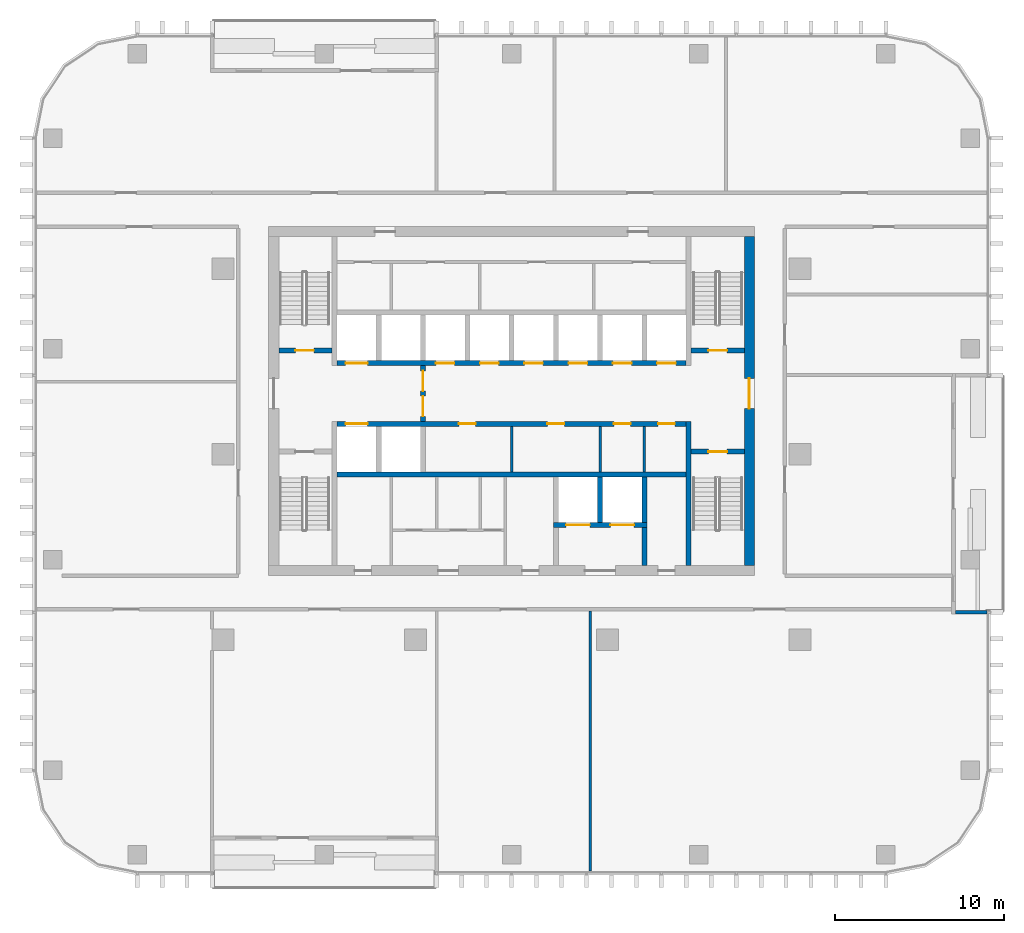
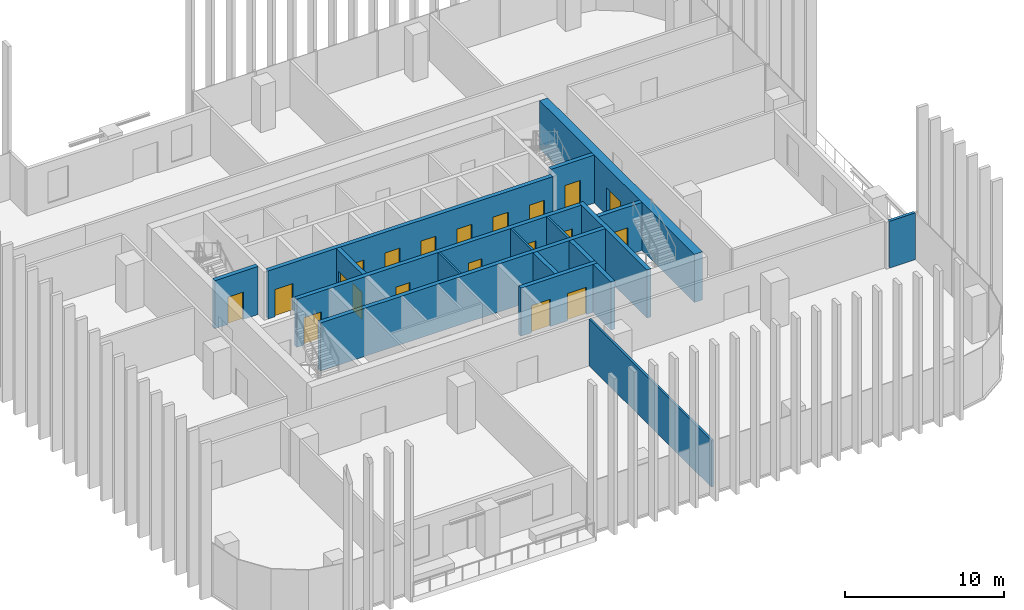
# One storey, part 8 of 15: 20 doors, 18 walls, 20 openings.
"""IFC4 building model written with IfcOpenShell, lengths in metres."""

from ifc_helpers import new_model, si_unit, direction, frame, frame_2d, origin, place, context, subcontext, project, spatial, rectangle, extrude, material, layer, layer_set, type_object, element, fill, save


model = new_model("IFC4")

# Units and contexts
model_context = context("Model", 3, precision=1e-05, world=origin(), true_north=direction((0.0, 1.0)))
body_context = subcontext(model_context, "Body", "Model", "MODEL_VIEW")
ifc_project = project(units=[si_unit("LENGTHUNIT", "METRE"), si_unit("AREAUNIT", "SQUARE_METRE"), si_unit("VOLUMEUNIT", "CUBIC_METRE"), si_unit("PLANEANGLEUNIT", "RADIAN"), si_unit("MASSUNIT", "GRAM", prefix="KILO")], contexts=[model_context])

# Site, building, storey
site_placement = place(None, origin())
site = spatial("IfcSite", under=ifc_project, at=site_placement, CompositionType="ELEMENT")
building_placement = place(site_placement, origin())
building = spatial("IfcBuilding", under=site, at=building_placement, Name="Mopane Tessera Tower", CompositionType="ELEMENT")
storey_placement = place(building_placement, frame((0.0, 0.0, 211.0)))
storey = spatial("IfcBuildingStorey", under=building, at=storey_placement, Name="L44", CompositionType="ELEMENT", Elevation=211.0)

# Walls
ifc_material_1 = material(Name="Fire-rated gypsum board partition")
ifc_layer_1 = layer(ifc_material_1, 0.14990234375)
ifc_layer_set_1 = layer_set([ifc_layer_1], Name="Fire-rated gypsum board partition")
wall_type_1 = type_object("IfcWallType", Name="Core room partition 150 mm", PredefinedType="PARTITIONING", material=ifc_layer_set_1)
for number, where, z_axis, x_axis, name in (
    (1, (0.0, -1.050048828125, 0.0), (0.0, 0.0, 1.0), (0.0, 1.0, 0.0), "L44 Room partition"),
    (2, (5.25, -1.050048828125, 0.0), (0.0, 0.0, 1.0), (0.0, 1.0, 0.0), "L44 Room partition"),
    (3, (7.875, -1.050048828125, 0.0), (0.0, 0.0, 1.0), (0.0, 1.0, 0.0), "L44 Room partition"),
):
    element("IfcWall", number, at=place(storey_placement, frame(where, z_axis=z_axis, x_axis=x_axis)), inside=storey, type_object=wall_type_1, Name=name, PredefinedType="PARTITIONING", context=body_context, shape_type="SweptSolid", body=[
        extrude(rectangle(XDim=2.699951171875, YDim=0.14990234375, at=frame_2d((1.35009765625, 0.0))), origin(), (0.0, 0.0, 1.0), 3.699951171875),
    ])

# Wall, opening, door
ifc_material_2 = material(Name="Concrete C70/85", Category="concrete")
ifc_layer_2 = layer(ifc_material_2, 0.60009765625)
ifc_layer_set_2 = layer_set([ifc_layer_2], Name="Concrete C70/85")
wall_type_2 = type_object("IfcWallType", Name="Core shear wall 600 mm", PredefinedType="SHEAR", material=ifc_layer_set_2)
wall_1_placement = place(storey_placement, frame((14.10009765625, -6.60009765625, 0.0), z_axis=(0.0, 0.0, 1.0), x_axis=(0.0, 1.0, 0.0)))
wall_1 = element("IfcWall", 4, at=wall_1_placement, inside=storey, type_object=wall_type_2, Name="L44 Core wall east", PredefinedType="SHEAR", context=body_context, shape_type="SweptSolid", body=[
    extrude(rectangle(XDim=19.5, YDim=0.60009765625, at=frame_2d((9.75, 0.0))), origin(), (0.0, 0.0, 1.0), 3.699951171875),
])
opening_1_placement = place(wall_1_placement, frame((9.300048828125, 0.0, 0.0)))
opening_1 = element("IfcOpeningElement", 5, at=opening_1_placement, cuts=wall_1, Name="Opening SD2", PredefinedType="OPENING", context=body_context, shape_type="SweptSolid", body=[
    extrude(rectangle(XDim=1.800048828125, YDim=2.10009765625, at=frame_2d((0.89990234375, 1.050048828125))), frame((0.0, 0.31201171875, 0.0), z_axis=(0.0, -1.0, 0.0), x_axis=(1.0, 0.0, 0.0)), (0.0, 0.0, 1.0), 0.6240234375),
])
ifc_material_3 = material(Name="Steel fire door", Category="steel")
door_type_1 = type_object("IfcDoorType", Name="Core entrance double door 1800 x 2100", OperationType="DOUBLE_DOOR_SINGLE_SWING", PredefinedType="DOOR", material=ifc_material_3)
door_1_placement = place(opening_1_placement, origin())
door_1 = element("IfcDoor", 6, at=door_1_placement, inside=storey, type_object=door_type_1, Name="L44 Core entrance door east", OperationType="DOUBLE_DOOR_SINGLE_SWING", OverallHeight=2.10009765625, OverallWidth=1.800048828125, PredefinedType="DOOR", context=body_context, shape_type="SweptSolid", body=[
    extrude(rectangle(XDim=1.800048828125, YDim=2.10009765625, at=frame_2d((0.89990234375, 1.050048828125))), frame((0.0, 0.02490234375, 0.0), z_axis=(0.0, -1.0, 0.0), x_axis=(1.0, 0.0, 0.0)), (0.0, 0.0, 1.0), 0.050048828125),
])
fill(opening_1, door_1)

# Walls
ifc_material_4 = material(Name="Concrete C60/75", Category="concrete")
ifc_layer_3 = layer(ifc_material_4, 0.300048828125)
ifc_layer_set_3 = layer_set([ifc_layer_3], Name="Concrete C60/75")
wall_type_3 = type_object("IfcWallType", Name="Core spine wall 300 mm", PredefinedType="SHEAR", material=ifc_layer_set_3)
wall_2_placement = place(storey_placement, frame((10.5, -6.60009765625, 0.0), z_axis=(0.0, 0.0, 1.0), x_axis=(0.0, 1.0, 0.0)))
element("IfcWall", 7, at=wall_2_placement, inside=storey, type_object=wall_type_3, Name="L44 Core spine wall", PredefinedType="SHEAR", context=body_context, shape_type="SweptSolid", body=[
    extrude(rectangle(XDim=8.550048828125, YDim=0.300048828125, at=frame_2d((4.27490234375, 0.0))), origin(), (0.0, 0.0, 1.0), 3.699951171875),
])
ifc_material_5 = material(Name="Gypsum board on steel studs, mineral wool infill", Category="steel")
ifc_layer_4 = layer(ifc_material_5, 0.14990234375)
ifc_layer_set_4 = layer_set([ifc_layer_4], Name="Gypsum board on steel studs, mineral wool infill")
wall_type_4 = type_object("IfcWallType", Name="Gypsum board partition 150, rated EI 60", PredefinedType="PARTITIONING", material=ifc_layer_set_4)
wall_3_placement = place(storey_placement, frame((4.659912109375, -24.699951171875, 0.0), z_axis=(0.0, 0.0, 1.0), x_axis=(0.0, 1.0, 0.0)))
element("IfcWall", 8, at=wall_3_placement, inside=storey, type_object=wall_type_4, Name="Partition L44:016", PredefinedType="PARTITIONING", context=body_context, shape_type="SweptSolid", body=[
    extrude(rectangle(XDim=15.39990234375, YDim=0.14990234375, at=frame_2d((7.699951171875, 0.0))), origin(), (0.0, 0.0, 1.0), 3.60009765625),
])

# Wall, opening, door
ifc_material_6 = material(Name="Concrete C50/60", Category="concrete")
ifc_layer_5 = layer(ifc_material_6, 0.300048828125)
ifc_layer_set_5 = layer_set([ifc_layer_5], Name="Concrete C50/60")
wall_type_5 = type_object("IfcWallType", Name="Lift and stair shaft wall 300 mm", PredefinedType="SOLIDWALL", material=ifc_layer_set_5)
wall_4_placement = place(storey_placement, frame((-13.800048828125, 6.14990234375, 0.0), z_axis=(0.0, 0.0, 1.0), x_axis=(1.0, 0.0, 0.0)))
wall_4 = element("IfcWall", 9, at=wall_4_placement, inside=storey, type_object=wall_type_5, Name="L44 Stair enclosure wall", PredefinedType="SOLIDWALL", context=body_context, shape_type="SweptSolid", body=[
    extrude(rectangle(XDim=3.150146484375, YDim=0.300048828125, at=frame_2d((1.5751953125, 0.0))), origin(), (0.0, 0.0, 1.0), 3.699951171875),
])
opening_2_placement = place(wall_4_placement, frame((0.97509765625, 0.0, 0.0)))
opening_2 = element("IfcOpeningElement", 10, at=opening_2_placement, cuts=wall_4, Name="Opening SD1", PredefinedType="OPENING", context=body_context, shape_type="SweptSolid", body=[
    extrude(rectangle(XDim=1.10009765625, YDim=2.10009765625, at=frame_2d((0.550048828125, 1.050048828125))), frame((0.0, 0.162109375, 0.0), z_axis=(0.0, -1.0, 0.0), x_axis=(1.0, 0.0, 0.0)), (0.0, 0.0, 1.0), 0.323974609375),
])
ifc_material_7 = material(Name="Steel fire door", Category="steel")
door_type_2 = type_object("IfcDoorType", Name="Stair fire door 1100 x 2100", OperationType="SINGLE_SWING_LEFT", PredefinedType="DOOR", material=ifc_material_7)
door_2_placement = place(opening_2_placement, origin())
door_2 = element("IfcDoor", 11, at=door_2_placement, inside=storey, type_object=door_type_2, Name="L44 Stair door ST2", OperationType="SINGLE_SWING_LEFT", OverallHeight=2.10009765625, OverallWidth=1.10009765625, PredefinedType="DOOR", context=body_context, shape_type="SweptSolid", body=[
    extrude(rectangle(XDim=1.10009765625, YDim=2.10009765625, at=frame_2d((0.550048828125, 1.050048828125))), frame((0.0, 0.02490234375, 0.0), z_axis=(0.0, -1.0, 0.0), x_axis=(1.0, 0.0, 0.0)), (0.0, 0.0, 1.0), 0.050048828125),
])
fill(opening_2, door_2)

wall_5_placement = place(storey_placement, frame((10.64990234375, 0.14990234375, 0.0), z_axis=(0.0, 0.0, 1.0), x_axis=(1.0, 0.0, 0.0)))
wall_5 = element("IfcWall", 12, at=wall_5_placement, inside=storey, type_object=wall_type_5, Name="L44 Stair enclosure wall", PredefinedType="SOLIDWALL", context=body_context, shape_type="SweptSolid", body=[
    extrude(rectangle(XDim=3.150146484375, YDim=0.300048828125, at=frame_2d((1.5751953125, 0.0))), origin(), (0.0, 0.0, 1.0), 3.699951171875),
])
opening_3_placement = place(wall_5_placement, frame((1.02490234375, 0.0, 0.0)))
opening_3 = element("IfcOpeningElement", 13, at=opening_3_placement, cuts=wall_5, Name="Opening SD1", PredefinedType="OPENING", context=body_context, shape_type="SweptSolid", body=[
    extrude(rectangle(XDim=1.10009765625, YDim=2.10009765625, at=frame_2d((0.550048828125, 1.050048828125))), frame((0.0, 0.162109375, 0.0), z_axis=(0.0, -1.0, 0.0), x_axis=(1.0, 0.0, 0.0)), (0.0, 0.0, 1.0), 0.323974609375),
])
door_3_placement = place(opening_3_placement, origin())
door_3 = element("IfcDoor", 14, at=door_3_placement, inside=storey, type_object=door_type_2, Name="L44 Stair door ST3", OperationType="SINGLE_SWING_RIGHT", OverallHeight=2.10009765625, OverallWidth=1.10009765625, PredefinedType="DOOR", context=body_context, shape_type="SweptSolid", body=[
    extrude(rectangle(XDim=1.10009765625, YDim=2.10009765625, at=frame_2d((0.550048828125, 1.050048828125))), frame((0.0, 0.02490234375, 0.0), z_axis=(0.0, -1.0, 0.0), x_axis=(1.0, 0.0, 0.0)), (0.0, 0.0, 1.0), 0.050048828125),
])
fill(opening_3, door_3)

wall_6_placement = place(storey_placement, frame((10.64990234375, 6.14990234375, 0.0), z_axis=(0.0, 0.0, 1.0), x_axis=(1.0, 0.0, 0.0)))
wall_6 = element("IfcWall", 15, at=wall_6_placement, inside=storey, type_object=wall_type_5, Name="L44 Stair enclosure wall", PredefinedType="SOLIDWALL", context=body_context, shape_type="SweptSolid", body=[
    extrude(rectangle(XDim=3.150146484375, YDim=0.300048828125, at=frame_2d((1.5751953125, 0.0))), origin(), (0.0, 0.0, 1.0), 3.699951171875),
])
opening_4_placement = place(wall_6_placement, frame((1.02490234375, 0.0, 0.0)))
opening_4 = element("IfcOpeningElement", 16, at=opening_4_placement, cuts=wall_6, Name="Opening SD1", PredefinedType="OPENING", context=body_context, shape_type="SweptSolid", body=[
    extrude(rectangle(XDim=1.10009765625, YDim=2.10009765625, at=frame_2d((0.550048828125, 1.050048828125))), frame((0.0, 0.162109375, 0.0), z_axis=(0.0, -1.0, 0.0), x_axis=(1.0, 0.0, 0.0)), (0.0, 0.0, 1.0), 0.323974609375),
])
door_4_placement = place(opening_4_placement, origin())
door_4 = element("IfcDoor", 17, at=door_4_placement, inside=storey, type_object=door_type_2, Name="L44 Stair door ST4", OperationType="SINGLE_SWING_RIGHT", OverallHeight=2.10009765625, OverallWidth=1.10009765625, PredefinedType="DOOR", context=body_context, shape_type="SweptSolid", body=[
    extrude(rectangle(XDim=1.10009765625, YDim=2.10009765625, at=frame_2d((0.550048828125, 1.050048828125))), frame((0.0, 0.02490234375, 0.0), z_axis=(0.0, -1.0, 0.0), x_axis=(1.0, 0.0, 0.0)), (0.0, 0.0, 1.0), 0.050048828125),
])
fill(opening_4, door_4)

# Wall
wall_7_placement = place(storey_placement, frame((-10.35009765625, -1.199951171875, 0.0), z_axis=(0.0, 0.0, 1.0), x_axis=(1.0, 0.0, 0.0)))
element("IfcWall", 18, at=wall_7_placement, inside=storey, type_object=wall_type_5, Name="L44 Lift shaft rear wall", PredefinedType="SOLIDWALL", context=body_context, shape_type="SweptSolid", body=[
    extrude(rectangle(XDim=20.7001953125, YDim=0.300048828125, at=frame_2d((10.35009765625, 0.0))), origin(), (0.0, 0.0, 1.0), 3.699951171875),
])

# Wall, openings, doors
wall_8_placement = place(storey_placement, frame((-10.35009765625, 1.800048828125, 0.0), z_axis=(0.0, 0.0, 1.0), x_axis=(1.0, 0.0, 0.0)))
wall_8 = element("IfcWall", 19, at=wall_8_placement, inside=storey, type_object=wall_type_5, Name="L44 Lift shaft front wall", PredefinedType="SOLIDWALL", context=body_context, shape_type="SweptSolid", body=[
    extrude(rectangle(XDim=20.7001953125, YDim=0.300048828125, at=frame_2d((10.35009765625, 0.0))), origin(), (0.0, 0.0, 1.0), 3.699951171875),
])
opening_5_placement = place(wall_8_placement, frame((0.512451171875, 0.0, 0.0)))
opening_5 = element("IfcOpeningElement", 20, at=opening_5_placement, cuts=wall_8, Name="Opening LD2", PredefinedType="OPENING", context=body_context, shape_type="SweptSolid", body=[
    extrude(rectangle(XDim=1.300048828125, YDim=2.10009765625, at=frame_2d((0.64990234375, 1.050048828125))), frame((0.0, 0.162109375, 0.0), z_axis=(0.0, -1.0, 0.0), x_axis=(1.0, 0.0, 0.0)), (0.0, 0.0, 1.0), 0.323974609375),
])
opening_6_placement = place(wall_8_placement, frame((7.22509765625, 0.0, 0.0)))
opening_6 = element("IfcOpeningElement", 21, at=opening_6_placement, cuts=wall_8, Name="Opening RD1", PredefinedType="OPENING", context=body_context, shape_type="SweptSolid", body=[
    extrude(rectangle(XDim=1.0, YDim=2.10009765625, at=frame_2d((0.5, 1.050048828125))), frame((0.0, 0.162109375, 0.0), z_axis=(0.0, -1.0, 0.0), x_axis=(1.0, 0.0, 0.0)), (0.0, 0.0, 1.0), 0.323974609375),
])
opening_7_placement = place(wall_8_placement, frame((12.47509765625, 0.0, 0.0)))
opening_7 = element("IfcOpeningElement", 22, at=opening_7_placement, cuts=wall_8, Name="Opening RD1", PredefinedType="OPENING", context=body_context, shape_type="SweptSolid", body=[
    extrude(rectangle(XDim=1.0, YDim=2.10009765625, at=frame_2d((0.5, 1.050048828125))), frame((0.0, 0.162109375, 0.0), z_axis=(0.0, -1.0, 0.0), x_axis=(1.0, 0.0, 0.0)), (0.0, 0.0, 1.0), 0.323974609375),
])
opening_8_placement = place(wall_8_placement, frame((16.41259765625, 0.0, 0.0)))
opening_8 = element("IfcOpeningElement", 23, at=opening_8_placement, cuts=wall_8, Name="Opening RD1", PredefinedType="OPENING", context=body_context, shape_type="SweptSolid", body=[
    extrude(rectangle(XDim=1.0, YDim=2.10009765625, at=frame_2d((0.5, 1.050048828125))), frame((0.0, 0.162109375, 0.0), z_axis=(0.0, -1.0, 0.0), x_axis=(1.0, 0.0, 0.0)), (0.0, 0.0, 1.0), 0.323974609375),
])
opening_9_placement = place(wall_8_placement, frame((19.03759765625, 0.0, 0.0)))
opening_9 = element("IfcOpeningElement", 24, at=opening_9_placement, cuts=wall_8, Name="Opening RD1", PredefinedType="OPENING", context=body_context, shape_type="SweptSolid", body=[
    extrude(rectangle(XDim=1.0, YDim=2.10009765625, at=frame_2d((0.5, 1.050048828125))), frame((0.0, 0.162109375, 0.0), z_axis=(0.0, -1.0, 0.0), x_axis=(1.0, 0.0, 0.0)), (0.0, 0.0, 1.0), 0.323974609375),
])
ifc_material_8 = material(Name="Timber door", Category="wood")
door_type_3 = type_object("IfcDoorType", Name="Core room door 1000 x 2100", OperationType="SINGLE_SWING_LEFT", PredefinedType="DOOR", material=ifc_material_8)
door_5_placement = place(opening_6_placement, origin())
door_5 = element("IfcDoor", 25, at=door_5_placement, inside=storey, type_object=door_type_3, Name="L44 Room door", OperationType="SINGLE_SWING_LEFT", OverallHeight=2.10009765625, OverallWidth=1.0, PredefinedType="DOOR", context=body_context, shape_type="SweptSolid", body=[
    extrude(rectangle(XDim=1.0, YDim=2.10009765625, at=frame_2d((0.5, 1.050048828125))), frame((0.0, 0.02490234375, 0.0), z_axis=(0.0, -1.0, 0.0), x_axis=(1.0, 0.0, 0.0)), (0.0, 0.0, 1.0), 0.050048828125),
])
fill(opening_6, door_5)
door_6_placement = place(opening_7_placement, origin())
door_6 = element("IfcDoor", 26, at=door_6_placement, inside=storey, type_object=door_type_3, Name="L44 Room door", OperationType="SINGLE_SWING_LEFT", OverallHeight=2.10009765625, OverallWidth=1.0, PredefinedType="DOOR", context=body_context, shape_type="SweptSolid", body=[
    extrude(rectangle(XDim=1.0, YDim=2.10009765625, at=frame_2d((0.5, 1.050048828125))), frame((0.0, 0.02490234375, 0.0), z_axis=(0.0, -1.0, 0.0), x_axis=(1.0, 0.0, 0.0)), (0.0, 0.0, 1.0), 0.050048828125),
])
fill(opening_7, door_6)
door_7_placement = place(opening_8_placement, origin())
door_7 = element("IfcDoor", 27, at=door_7_placement, inside=storey, type_object=door_type_3, Name="L44 Room door", OperationType="SINGLE_SWING_LEFT", OverallHeight=2.10009765625, OverallWidth=1.0, PredefinedType="DOOR", context=body_context, shape_type="SweptSolid", body=[
    extrude(rectangle(XDim=1.0, YDim=2.10009765625, at=frame_2d((0.5, 1.050048828125))), frame((0.0, 0.02490234375, 0.0), z_axis=(0.0, -1.0, 0.0), x_axis=(1.0, 0.0, 0.0)), (0.0, 0.0, 1.0), 0.050048828125),
])
fill(opening_8, door_7)
door_8_placement = place(opening_9_placement, origin())
door_8 = element("IfcDoor", 28, at=door_8_placement, inside=storey, type_object=door_type_3, Name="L44 Room door", OperationType="SINGLE_SWING_LEFT", OverallHeight=2.10009765625, OverallWidth=1.0, PredefinedType="DOOR", context=body_context, shape_type="SweptSolid", body=[
    extrude(rectangle(XDim=1.0, YDim=2.10009765625, at=frame_2d((0.5, 1.050048828125))), frame((0.0, 0.02490234375, 0.0), z_axis=(0.0, -1.0, 0.0), x_axis=(1.0, 0.0, 0.0)), (0.0, 0.0, 1.0), 0.050048828125),
])
fill(opening_9, door_8)
ifc_material_9 = material(Name="Stainless steel sliding door", Category="steel")
door_type_4 = type_object("IfcDoorType", Name="Fire-fighting lift landing door 1300 x 2100", OperationType="DOUBLE_DOOR_SLIDING", PredefinedType="DOOR", material=ifc_material_9)
door_9_placement = place(opening_5_placement, origin())
door_9 = element("IfcDoor", 29, at=door_9_placement, inside=storey, type_object=door_type_4, Name="L44 Lift landing door FF1", OperationType="DOUBLE_DOOR_SLIDING", OverallHeight=2.10009765625, OverallWidth=1.300048828125, PredefinedType="DOOR", context=body_context, shape_type="SweptSolid", body=[
    extrude(rectangle(XDim=1.300048828125, YDim=2.10009765625, at=frame_2d((0.64990234375, 1.050048828125))), frame((0.0, 0.02490234375, 0.0), z_axis=(0.0, -1.0, 0.0), x_axis=(1.0, 0.0, 0.0)), (0.0, 0.0, 1.0), 0.050048828125),
])
fill(opening_5, door_9)

wall_9_placement = place(storey_placement, frame((-10.35009765625, 5.39990234375, 0.0), z_axis=(0.0, 0.0, 1.0), x_axis=(1.0, 0.0, 0.0)))
wall_9 = element("IfcWall", 30, at=wall_9_placement, inside=storey, type_object=wall_type_5, Name="L44 Lift shaft front wall", PredefinedType="SOLIDWALL", context=body_context, shape_type="SweptSolid", body=[
    extrude(rectangle(XDim=20.7001953125, YDim=0.300048828125, at=frame_2d((10.35009765625, 0.0))), origin(), (0.0, 0.0, 1.0), 3.699951171875),
])
opening_10_placement = place(wall_9_placement, frame((0.512451171875, 0.0, 0.0)))
opening_10 = element("IfcOpeningElement", 31, at=opening_10_placement, cuts=wall_9, Name="Opening LD2", PredefinedType="OPENING", context=body_context, shape_type="SweptSolid", body=[
    extrude(rectangle(XDim=1.300048828125, YDim=2.10009765625, at=frame_2d((0.64990234375, 1.050048828125))), frame((0.0, 0.162109375, 0.0), z_axis=(0.0, -1.0, 0.0), x_axis=(1.0, 0.0, 0.0)), (0.0, 0.0, 1.0), 0.323974609375),
])
opening_11_placement = place(wall_9_placement, frame((5.862548828125, 0.0, 0.0)))
opening_11 = element("IfcOpeningElement", 32, at=opening_11_placement, cuts=wall_9, Name="Opening LD", PredefinedType="OPENING", context=body_context, shape_type="SweptSolid", body=[
    extrude(rectangle(XDim=1.10009765625, YDim=2.10009765625, at=frame_2d((0.550048828125, 1.050048828125))), frame((0.0, 0.162109375, 0.0), z_axis=(0.0, -1.0, 0.0), x_axis=(1.0, 0.0, 0.0)), (0.0, 0.0, 1.0), 0.323974609375),
])
opening_12_placement = place(wall_9_placement, frame((8.487548828125, 0.0, 0.0)))
opening_12 = element("IfcOpeningElement", 33, at=opening_12_placement, cuts=wall_9, Name="Opening LD", PredefinedType="OPENING", context=body_context, shape_type="SweptSolid", body=[
    extrude(rectangle(XDim=1.10009765625, YDim=2.10009765625, at=frame_2d((0.550048828125, 1.050048828125))), frame((0.0, 0.162109375, 0.0), z_axis=(0.0, -1.0, 0.0), x_axis=(1.0, 0.0, 0.0)), (0.0, 0.0, 1.0), 0.323974609375),
])
opening_13_placement = place(wall_9_placement, frame((11.112548828125, 0.0, 0.0)))
opening_13 = element("IfcOpeningElement", 34, at=opening_13_placement, cuts=wall_9, Name="Opening LD", PredefinedType="OPENING", context=body_context, shape_type="SweptSolid", body=[
    extrude(rectangle(XDim=1.10009765625, YDim=2.10009765625, at=frame_2d((0.550048828125, 1.050048828125))), frame((0.0, 0.162109375, 0.0), z_axis=(0.0, -1.0, 0.0), x_axis=(1.0, 0.0, 0.0)), (0.0, 0.0, 1.0), 0.323974609375),
])
opening_14_placement = place(wall_9_placement, frame((13.737548828125, 0.0, 0.0)))
opening_14 = element("IfcOpeningElement", 35, at=opening_14_placement, cuts=wall_9, Name="Opening LD", PredefinedType="OPENING", context=body_context, shape_type="SweptSolid", body=[
    extrude(rectangle(XDim=1.10009765625, YDim=2.10009765625, at=frame_2d((0.550048828125, 1.050048828125))), frame((0.0, 0.162109375, 0.0), z_axis=(0.0, -1.0, 0.0), x_axis=(1.0, 0.0, 0.0)), (0.0, 0.0, 1.0), 0.323974609375),
])
opening_15_placement = place(wall_9_placement, frame((16.362548828125, 0.0, 0.0)))
opening_15 = element("IfcOpeningElement", 36, at=opening_15_placement, cuts=wall_9, Name="Opening LD", PredefinedType="OPENING", context=body_context, shape_type="SweptSolid", body=[
    extrude(rectangle(XDim=1.10009765625, YDim=2.10009765625, at=frame_2d((0.550048828125, 1.050048828125))), frame((0.0, 0.162109375, 0.0), z_axis=(0.0, -1.0, 0.0), x_axis=(1.0, 0.0, 0.0)), (0.0, 0.0, 1.0), 0.323974609375),
])
opening_16_placement = place(wall_9_placement, frame((18.987548828125, 0.0, 0.0)))
opening_16 = element("IfcOpeningElement", 37, at=opening_16_placement, cuts=wall_9, Name="Opening LD", PredefinedType="OPENING", context=body_context, shape_type="SweptSolid", body=[
    extrude(rectangle(XDim=1.10009765625, YDim=2.10009765625, at=frame_2d((0.550048828125, 1.050048828125))), frame((0.0, 0.162109375, 0.0), z_axis=(0.0, -1.0, 0.0), x_axis=(1.0, 0.0, 0.0)), (0.0, 0.0, 1.0), 0.323974609375),
])
door_10_placement = place(opening_10_placement, origin())
door_10 = element("IfcDoor", 38, at=door_10_placement, inside=storey, type_object=door_type_4, Name="L44 Lift landing door FF2", OperationType="DOUBLE_DOOR_SLIDING", OverallHeight=2.10009765625, OverallWidth=1.300048828125, PredefinedType="DOOR", context=body_context, shape_type="SweptSolid", body=[
    extrude(rectangle(XDim=1.300048828125, YDim=2.10009765625, at=frame_2d((0.64990234375, 1.050048828125))), frame((0.0, 0.02490234375, 0.0), z_axis=(0.0, -1.0, 0.0), x_axis=(1.0, 0.0, 0.0)), (0.0, 0.0, 1.0), 0.050048828125),
])
fill(opening_10, door_10)
ifc_material_10 = material(Name="Stainless steel sliding door", Category="steel")
door_type_5 = type_object("IfcDoorType", Name="Lift landing door 1100 x 2100", OperationType="DOUBLE_DOOR_SLIDING", PredefinedType="DOOR", material=ifc_material_10)
door_11_placement = place(opening_11_placement, origin())
door_11 = element("IfcDoor", 39, at=door_11_placement, inside=storey, type_object=door_type_5, Name="L44 Lift landing door HR1", OperationType="DOUBLE_DOOR_SLIDING", OverallHeight=2.10009765625, OverallWidth=1.10009765625, PredefinedType="DOOR", context=body_context, shape_type="SweptSolid", body=[
    extrude(rectangle(XDim=1.10009765625, YDim=2.10009765625, at=frame_2d((0.550048828125, 1.050048828125))), frame((0.0, 0.02490234375, 0.0), z_axis=(0.0, -1.0, 0.0), x_axis=(1.0, 0.0, 0.0)), (0.0, 0.0, 1.0), 0.050048828125),
])
fill(opening_11, door_11)
door_12_placement = place(opening_12_placement, origin())
door_12 = element("IfcDoor", 40, at=door_12_placement, inside=storey, type_object=door_type_5, Name="L44 Lift landing door HR2", OperationType="DOUBLE_DOOR_SLIDING", OverallHeight=2.10009765625, OverallWidth=1.10009765625, PredefinedType="DOOR", context=body_context, shape_type="SweptSolid", body=[
    extrude(rectangle(XDim=1.10009765625, YDim=2.10009765625, at=frame_2d((0.550048828125, 1.050048828125))), frame((0.0, 0.02490234375, 0.0), z_axis=(0.0, -1.0, 0.0), x_axis=(1.0, 0.0, 0.0)), (0.0, 0.0, 1.0), 0.050048828125),
])
fill(opening_12, door_12)
door_13_placement = place(opening_13_placement, origin())
door_13 = element("IfcDoor", 41, at=door_13_placement, inside=storey, type_object=door_type_5, Name="L44 Lift landing door HR3", OperationType="DOUBLE_DOOR_SLIDING", OverallHeight=2.10009765625, OverallWidth=1.10009765625, PredefinedType="DOOR", context=body_context, shape_type="SweptSolid", body=[
    extrude(rectangle(XDim=1.10009765625, YDim=2.10009765625, at=frame_2d((0.550048828125, 1.050048828125))), frame((0.0, 0.02490234375, 0.0), z_axis=(0.0, -1.0, 0.0), x_axis=(1.0, 0.0, 0.0)), (0.0, 0.0, 1.0), 0.050048828125),
])
fill(opening_13, door_13)
door_14_placement = place(opening_14_placement, origin())
door_14 = element("IfcDoor", 42, at=door_14_placement, inside=storey, type_object=door_type_5, Name="L44 Lift landing door HR4", OperationType="DOUBLE_DOOR_SLIDING", OverallHeight=2.10009765625, OverallWidth=1.10009765625, PredefinedType="DOOR", context=body_context, shape_type="SweptSolid", body=[
    extrude(rectangle(XDim=1.10009765625, YDim=2.10009765625, at=frame_2d((0.550048828125, 1.050048828125))), frame((0.0, 0.02490234375, 0.0), z_axis=(0.0, -1.0, 0.0), x_axis=(1.0, 0.0, 0.0)), (0.0, 0.0, 1.0), 0.050048828125),
])
fill(opening_14, door_14)
door_15_placement = place(opening_15_placement, origin())
door_15 = element("IfcDoor", 43, at=door_15_placement, inside=storey, type_object=door_type_5, Name="L44 Lift landing door HR5", OperationType="DOUBLE_DOOR_SLIDING", OverallHeight=2.10009765625, OverallWidth=1.10009765625, PredefinedType="DOOR", context=body_context, shape_type="SweptSolid", body=[
    extrude(rectangle(XDim=1.10009765625, YDim=2.10009765625, at=frame_2d((0.550048828125, 1.050048828125))), frame((0.0, 0.02490234375, 0.0), z_axis=(0.0, -1.0, 0.0), x_axis=(1.0, 0.0, 0.0)), (0.0, 0.0, 1.0), 0.050048828125),
])
fill(opening_15, door_15)
door_16_placement = place(opening_16_placement, origin())
door_16 = element("IfcDoor", 44, at=door_16_placement, inside=storey, type_object=door_type_5, Name="L44 Lift landing door HR6", OperationType="DOUBLE_DOOR_SLIDING", OverallHeight=2.10009765625, OverallWidth=1.10009765625, PredefinedType="DOOR", context=body_context, shape_type="SweptSolid", body=[
    extrude(rectangle(XDim=1.10009765625, YDim=2.10009765625, at=frame_2d((0.550048828125, 1.050048828125))), frame((0.0, 0.02490234375, 0.0), z_axis=(0.0, -1.0, 0.0), x_axis=(1.0, 0.0, 0.0)), (0.0, 0.0, 1.0), 0.050048828125),
])
fill(opening_16, door_16)

wall_10_placement = place(storey_placement, frame((2.47509765625, -4.199951171875, 0.0), z_axis=(0.0, 0.0, 1.0), x_axis=(1.0, 0.0, 0.0)))
wall_10 = element("IfcWall", 45, at=wall_10_placement, inside=storey, type_object=wall_type_5, Name="L44 Lift shaft front wall", PredefinedType="SOLIDWALL", context=body_context, shape_type="SweptSolid", body=[
    extrude(rectangle(XDim=5.5498046875, YDim=0.300048828125, at=frame_2d((2.77490234375, 0.0))), origin(), (0.0, 0.0, 1.0), 3.699951171875),
])
opening_17_placement = place(wall_10_placement, frame((0.762451171875, 0.0, 0.0)))
opening_17 = element("IfcOpeningElement", 46, at=opening_17_placement, cuts=wall_10, Name="Opening LD3", PredefinedType="OPENING", context=body_context, shape_type="SweptSolid", body=[
    extrude(rectangle(XDim=1.39990234375, YDim=2.10009765625, at=frame_2d((0.699951171875, 1.050048828125))), frame((0.0, 0.162109375, 0.0), z_axis=(0.0, -1.0, 0.0), x_axis=(1.0, 0.0, 0.0)), (0.0, 0.0, 1.0), 0.323974609375),
])
opening_18_placement = place(wall_10_placement, frame((3.387451171875, 0.0, 0.0)))
opening_18 = element("IfcOpeningElement", 47, at=opening_18_placement, cuts=wall_10, Name="Opening LD3", PredefinedType="OPENING", context=body_context, shape_type="SweptSolid", body=[
    extrude(rectangle(XDim=1.39990234375, YDim=2.10009765625, at=frame_2d((0.699951171875, 1.050048828125))), frame((0.0, 0.162109375, 0.0), z_axis=(0.0, -1.0, 0.0), x_axis=(1.0, 0.0, 0.0)), (0.0, 0.0, 1.0), 0.323974609375),
])
ifc_material_11 = material(Name="Stainless steel sliding door", Category="steel")
door_type_6 = type_object("IfcDoorType", Name="Service lift landing door 1400 x 2100", OperationType="DOUBLE_DOOR_SLIDING", PredefinedType="DOOR", material=ifc_material_11)
door_17_placement = place(opening_17_placement, origin())
door_17 = element("IfcDoor", 48, at=door_17_placement, inside=storey, type_object=door_type_6, Name="L44 Lift landing door SV1", OperationType="DOUBLE_DOOR_SLIDING", OverallHeight=2.10009765625, OverallWidth=1.39990234375, PredefinedType="DOOR", context=body_context, shape_type="SweptSolid", body=[
    extrude(rectangle(XDim=1.39990234375, YDim=2.10009765625, at=frame_2d((0.699951171875, 1.050048828125))), frame((0.0, 0.02490234375, 0.0), z_axis=(0.0, -1.0, 0.0), x_axis=(1.0, 0.0, 0.0)), (0.0, 0.0, 1.0), 0.050048828125),
])
fill(opening_17, door_17)
door_18_placement = place(opening_18_placement, origin())
door_18 = element("IfcDoor", 49, at=door_18_placement, inside=storey, type_object=door_type_6, Name="L44 Lift landing door SV2", OperationType="DOUBLE_DOOR_SLIDING", OverallHeight=2.10009765625, OverallWidth=1.39990234375, PredefinedType="DOOR", context=body_context, shape_type="SweptSolid", body=[
    extrude(rectangle(XDim=1.39990234375, YDim=2.10009765625, at=frame_2d((0.699951171875, 1.050048828125))), frame((0.0, 0.02490234375, 0.0), z_axis=(0.0, -1.0, 0.0), x_axis=(1.0, 0.0, 0.0)), (0.0, 0.0, 1.0), 0.050048828125),
])
fill(opening_18, door_18)

# Walls
for number, where, z_axis, x_axis, name in (
    (50, (5.25, -4.050048828125, 0.0), (0.0, 0.0, 1.0), (0.0, 1.0, 0.0), "L44 Lift shaft wall"),
    (51, (7.875, -4.050048828125, 0.0), (0.0, 0.0, 1.0), (0.0, 1.0, 0.0), "L44 Lift shaft wall"),
):
    element("IfcWall", number, at=place(storey_placement, frame(where, z_axis=z_axis, x_axis=x_axis)), inside=storey, type_object=wall_type_5, Name=name, PredefinedType="SOLIDWALL", context=body_context, shape_type="SweptSolid", body=[
        extrude(rectangle(XDim=2.699951171875, YDim=0.300048828125, at=frame_2d((1.35009765625, 0.0))), origin(), (0.0, 0.0, 1.0), 3.699951171875),
    ])

# Wall, openings, doors
ifc_material_12 = material(Name="Concrete C50/60", Category="concrete")
ifc_layer_6 = layer(ifc_material_12, 0.300048828125)
ifc_layer_set_6 = layer_set([ifc_layer_6], Name="Concrete C50/60")
wall_type_6 = type_object("IfcWallType", Name="Lobby and refuge room wall 300 mm", PredefinedType="SOLIDWALL", material=ifc_layer_set_6)
wall_11_placement = place(storey_placement, frame((-5.25, 1.949951171875, 0.0), z_axis=(0.0, 0.0, 1.0), x_axis=(0.0, 1.0, 0.0)))
wall_11 = element("IfcWall", 52, at=wall_11_placement, inside=storey, type_object=wall_type_6, Name="L44 Fire-fighting lobby wall", PredefinedType="SOLIDWALL", context=body_context, shape_type="SweptSolid", body=[
    extrude(rectangle(XDim=3.300048828125, YDim=0.300048828125, at=frame_2d((1.64990234375, 0.0))), origin(), (0.0, 0.0, 1.0), 3.699951171875),
])
opening_19_placement = place(wall_11_placement, frame((0.300048828125, 0.0, 0.0)))
opening_19 = element("IfcOpeningElement", 53, at=opening_19_placement, cuts=wall_11, Name="Opening SD3", PredefinedType="OPENING", context=body_context, shape_type="SweptSolid", body=[
    extrude(rectangle(XDim=1.199951171875, YDim=2.10009765625, at=frame_2d((0.60009765625, 1.050048828125))), frame((0.0, 0.162109375, 0.0), z_axis=(0.0, -1.0, 0.0), x_axis=(1.0, 0.0, 0.0)), (0.0, 0.0, 1.0), 0.323974609375),
])
opening_20_placement = place(wall_11_placement, frame((1.800048828125, 0.0, 0.0)))
opening_20 = element("IfcOpeningElement", 54, at=opening_20_placement, cuts=wall_11, Name="Opening SD3", PredefinedType="OPENING", context=body_context, shape_type="SweptSolid", body=[
    extrude(rectangle(XDim=1.199951171875, YDim=2.10009765625, at=frame_2d((0.60009765625, 1.050048828125))), frame((0.0, 0.162109375, 0.0), z_axis=(0.0, -1.0, 0.0), x_axis=(1.0, 0.0, 0.0)), (0.0, 0.0, 1.0), 0.323974609375),
])
ifc_material_13 = material(Name="Steel fire door", Category="steel")
door_type_7 = type_object("IfcDoorType", Name="Lobby fire door 1200 x 2100", OperationType="SINGLE_SWING_LEFT", PredefinedType="DOOR", material=ifc_material_13)
door_19_placement = place(opening_19_placement, origin())
door_19 = element("IfcDoor", 55, at=door_19_placement, inside=storey, type_object=door_type_7, Name="L44 Fire-fighting lobby door", OperationType="SINGLE_SWING_LEFT", OverallHeight=2.10009765625, OverallWidth=1.199951171875, PredefinedType="DOOR", context=body_context, shape_type="SweptSolid", body=[
    extrude(rectangle(XDim=1.199951171875, YDim=2.10009765625, at=frame_2d((0.60009765625, 1.050048828125))), frame((0.0, 0.02490234375, 0.0), z_axis=(0.0, -1.0, 0.0), x_axis=(1.0, 0.0, 0.0)), (0.0, 0.0, 1.0), 0.050048828125),
])
fill(opening_19, door_19)
door_20_placement = place(opening_20_placement, origin())
door_20 = element("IfcDoor", 56, at=door_20_placement, inside=storey, type_object=door_type_7, Name="L44 Fire-fighting lobby door", OperationType="SINGLE_SWING_RIGHT", OverallHeight=2.10009765625, OverallWidth=1.199951171875, PredefinedType="DOOR", context=body_context, shape_type="SweptSolid", body=[
    extrude(rectangle(XDim=1.199951171875, YDim=2.10009765625, at=frame_2d((0.60009765625, 1.050048828125))), frame((0.0, 0.02490234375, 0.0), z_axis=(0.0, -1.0, 0.0), x_axis=(1.0, 0.0, 0.0)), (0.0, 0.0, 1.0), 0.050048828125),
])
fill(opening_20, door_20)

# Walls
wall_12_placement = place(storey_placement, frame((7.875, -6.60009765625, 0.0), z_axis=(0.0, 0.0, 1.0), x_axis=(0.0, 1.0, 0.0)))
element("IfcWall", 57, at=wall_12_placement, inside=storey, type_object=wall_type_6, Name="L44 Service lobby wall", PredefinedType="SOLIDWALL", context=body_context, shape_type="SweptSolid", body=[
    extrude(rectangle(XDim=2.25, YDim=0.300048828125, at=frame_2d((1.125, 0.0))), origin(), (0.0, 0.0, 1.0), 3.699951171875),
])
ifc_material_14 = material(Name="Blockwork with glazed tile facing", Category="masonry")
ifc_layer_7 = layer(ifc_material_14, 0.199951171875)
ifc_layer_set_7 = layer_set([ifc_layer_7], Name="Blockwork with glazed tile facing")
wall_type_7 = type_object("IfcWallType", Name="Terrace cheek wall 200", PredefinedType="STANDARD", material=ifc_layer_set_7)
wall_13_placement = place(storey_placement, frame((28.199951171875, -9.375, 0.0), z_axis=(0.0, 0.0, 1.0), x_axis=(-1.0, 0.0, 0.0)))
element("IfcWall", 58, at=wall_13_placement, inside=storey, type_object=wall_type_7, Name="e:nw:L44:N2:cheeka", PredefinedType="STANDARD", context=body_context, shape_type="SweptSolid", body=[
    extrude(rectangle(XDim=1.875, YDim=0.199951171875, at=frame_2d((0.9375, 0.0))), origin(), (0.0, 0.0, 1.0), 3.60009765625),
])

save(model, "model.ifc")
